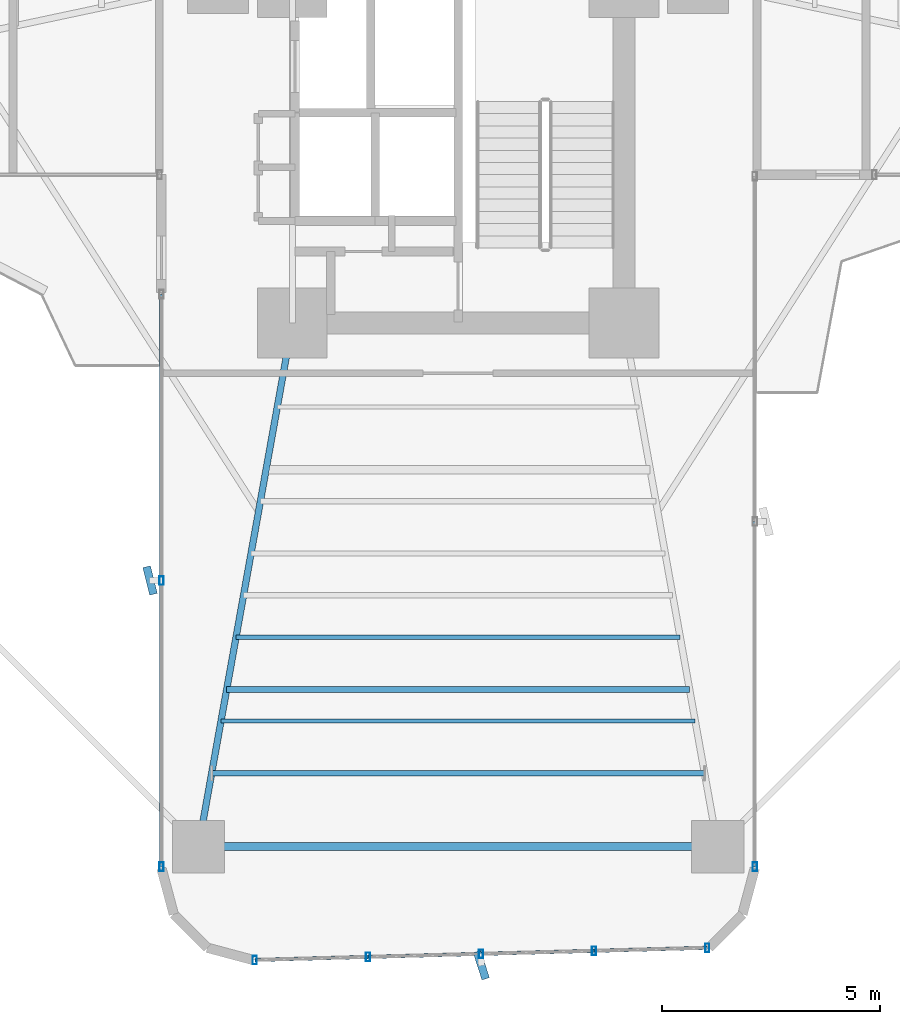
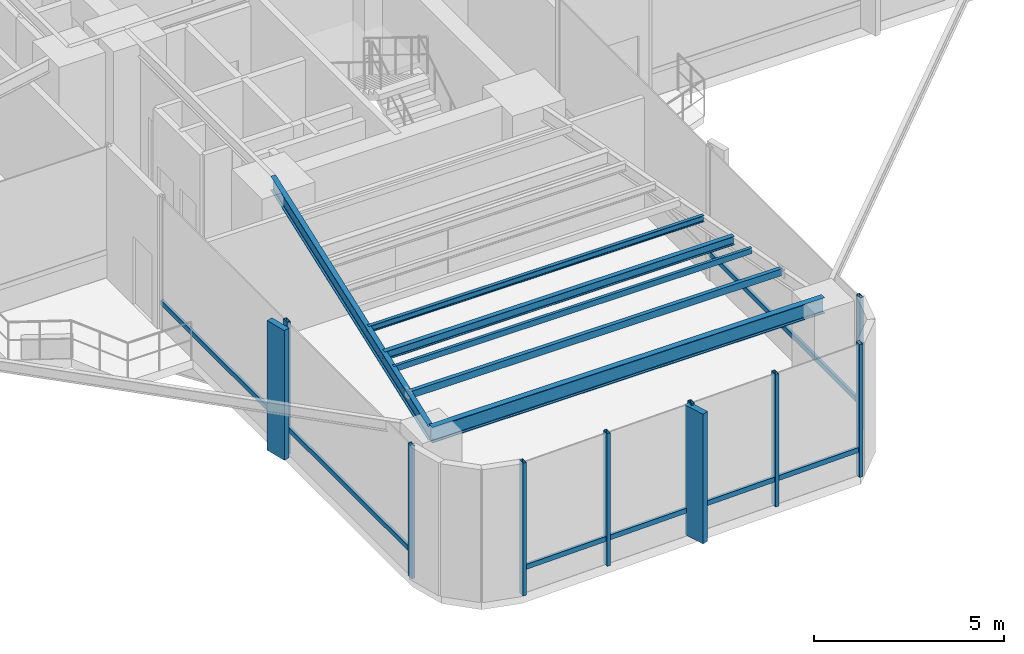
# One storey, part 2 of 20: 17 members, 6 beams, 3 elements without a shape of their own.
"""IFC4 building model written with IfcOpenShell, lengths in metres."""

from ifc_helpers import new_model, si_unit, direction, frame, origin, origin_2d, place, context, subcontext, project, spatial, rectangle, hollow_rectangle, i_section, extrude, source, transform, mapped, material, material_profile, profile_set, type_object, element, aggregate, save


model = new_model("IFC4")

# Units and contexts
model_context = context("Model", 3, precision=1e-05, world=origin(), true_north=direction((0.0, 1.0)))
body_context = subcontext(model_context, "Body", "Model", "MODEL_VIEW")
ifc_project = project(units=[si_unit("LENGTHUNIT", "METRE"), si_unit("AREAUNIT", "SQUARE_METRE"), si_unit("VOLUMEUNIT", "CUBIC_METRE"), si_unit("PLANEANGLEUNIT", "RADIAN"), si_unit("MASSUNIT", "GRAM", prefix="KILO")], contexts=[model_context])

# Site, building, storey
site_placement = place(None, origin())
site = spatial("IfcSite", under=ifc_project, at=site_placement, CompositionType="ELEMENT")
building_placement = place(site_placement, origin())
building = spatial("IfcBuilding", under=site, at=building_placement, Name="Sahyath Konkavel Grand Hotel", CompositionType="ELEMENT")
storey_placement = place(building_placement, frame((0.0, 0.0, 46.550048828125)))
storey = spatial("IfcBuildingStorey", under=building, at=storey_placement, Name="L12", CompositionType="ELEMENT", Elevation=46.550048828125)

# Beams
ifc_material_1 = material(Name="Steel E350", Category="steel")
ifc_material_profile_1 = material_profile(ifc_material_1, i_section(OverallWidth=0.179931640625, OverallDepth=0.5, WebThickness=0.01025390625, FlangeThickness=0.01708984375, FilletRadius=0.01708984375, at=origin_2d()), Name="ISMB 500")
ifc_profile_set_1 = profile_set([ifc_material_profile_1], Name="Steel E350")
beam_type_1 = type_object("IfcBeamType", Name="BM-ISMB500", PredefinedType="BEAM", material=ifc_profile_set_1)
shared_shape_1 = source(origin(), body_context, "Body", "SweptSolid", [
    extrude(i_section(OverallWidth=0.179931640625, OverallDepth=0.5, WebThickness=0.01025390625, FlangeThickness=0.01708984375, FilletRadius=0.01708984375, at=origin_2d()), origin(), (0.0, 0.0, 1.0), 11.89990234375),
])
beam_1_placement = place(storey_placement, frame((-5.949951171875, -22.199951171875, 4.010009765625), z_axis=(1.0, 0.0, 0.0), x_axis=(0.0, 1.0, 0.0)))
element("IfcBeam", 1, at=beam_1_placement, inside=storey, type_object=beam_type_1, Name="L12 Wing Tip Edge Beam S", PredefinedType="BEAM", context=body_context, shape_type="MappedRepresentation", body=[
    mapped(shared_shape_1, transform((0.0, 0.0, 0.0), scale=1.0)),
])
ifc_material_profile_2 = material_profile(ifc_material_1, i_section(OverallWidth=0.14990234375, OverallDepth=0.449951171875, WebThickness=0.009521484375, FlangeThickness=0.017333984375, FilletRadius=0.014892578125, at=origin_2d()), Name="ISMB 450")
ifc_profile_set_2 = profile_set([ifc_material_profile_2], Name="Steel E350")
beam_type_2 = type_object("IfcBeamType", Name="BM-ISMB450", PredefinedType="BEAM", material=ifc_profile_set_2)
shared_shape_2 = source(origin(), body_context, "Body", "SweptSolid", [
    extrude(i_section(OverallWidth=0.14990234375, OverallDepth=0.449951171875, WebThickness=0.009521484375, FlangeThickness=0.017333984375, FilletRadius=0.014892578125, at=origin_2d()), origin(), (0.0, 0.0, 1.0), 12.191162109375),
])
beam_2_placement = place(storey_placement, frame((-3.800048828125, -10.199951171875, 4.034912109375), z_axis=(-0.176350650305, -0.984327409014, 0.0), x_axis=(0.984327409014, -0.176350650305, 0.0)))
element("IfcBeam", 2, at=beam_2_placement, inside=storey, type_object=beam_type_2, Name="L12 Cruciform Radial Girder SA", PredefinedType="BEAM", context=body_context, shape_type="MappedRepresentation", body=[
    mapped(shared_shape_2, transform((0.0, 0.0, 0.0), scale=1.0)),
])
ifc_material_profile_3 = material_profile(ifc_material_1, hollow_rectangle(XDim=0.090087890625, YDim=0.179931640625, WallThickness=0.008056640625, at=origin_2d()), Name="RHS 180x90x8")
ifc_profile_set_3 = profile_set([ifc_material_profile_3], Name="Steel E350")
beam_type_3 = type_object("IfcBeamType", Name="BM-RHS180", PredefinedType="BEAM", material=ifc_profile_set_3)
shared_shape_3 = source(origin(), body_context, "Body", "SweptSolid", [
    extrude(hollow_rectangle(XDim=0.090087890625, YDim=0.179931640625, WallThickness=0.008056640625, at=origin_2d()), origin(), (0.0, 0.0, 1.0), 10.8681640625),
])
beam_3_placement = place(storey_placement, frame((-5.43408203125, -19.320068359375, 4.169921875), z_axis=(1.0, 0.0, 0.0), x_axis=(0.0, 1.0, 0.0)))
element("IfcBeam", 3, at=beam_3_placement, inside=storey, type_object=beam_type_3, Name="L12 Secondary Floor Beam S-3", PredefinedType="BEAM", context=body_context, shape_type="MappedRepresentation", body=[
    mapped(shared_shape_3, transform((0.0, 0.0, 0.0), scale=1.0)),
])
ifc_material_profile_4 = material_profile(ifc_material_1, i_section(OverallWidth=0.10009765625, OverallDepth=0.199951171875, WebThickness=0.005615234375, FlangeThickness=0.0107421875, FilletRadius=0.010986328125, at=origin_2d()), Name="ISMB 200")
ifc_profile_set_4 = profile_set([ifc_material_profile_4], Name="Steel E350")
beam_type_4 = type_object("IfcBeamType", Name="BM-ISMB200", PredefinedType="BEAM", material=ifc_profile_set_4)
shared_shape_4 = source(origin(), body_context, "Body", "SweptSolid", [
    extrude(i_section(OverallWidth=0.10009765625, OverallDepth=0.199951171875, WebThickness=0.005615234375, FlangeThickness=0.0107421875, FilletRadius=0.010986328125, at=origin_2d()), origin(), (0.0, 0.0, 1.0), 10.18017578125),
])
beam_4_placement = place(storey_placement, frame((-5.090087890625, -17.39990234375, 4.159912109375), z_axis=(1.0, 0.0, 0.0), x_axis=(0.0, 1.0, 0.0)))
element("IfcBeam", 4, at=beam_4_placement, inside=storey, type_object=beam_type_4, Name="L12 Composite Deck Sub-Beam S-4", PredefinedType="BEAM", context=body_context, shape_type="MappedRepresentation", body=[
    mapped(shared_shape_4, transform((0.0, 0.0, 0.0), scale=1.0)),
])
ifc_material_profile_5 = material_profile(ifc_material_1, i_section(OverallWidth=0.139892578125, OverallDepth=0.27490234375, WebThickness=0.00634765625, FlangeThickness=0.0087890625, FilletRadius=0.012939453125, at=origin_2d()), Name="ISLB 275")
ifc_profile_set_5 = profile_set([ifc_material_profile_5], Name="Steel E350")
beam_type_5 = type_object("IfcBeamType", Name="BM-ISLB275", PredefinedType="BEAM", material=ifc_profile_set_5)
shared_shape_5 = source(origin(), body_context, "Body", "SweptSolid", [
    extrude(i_section(OverallWidth=0.139892578125, OverallDepth=0.27490234375, WebThickness=0.00634765625, FlangeThickness=0.0087890625, FilletRadius=0.012939453125, at=origin_2d()), origin(), (0.0, 0.0, 1.0), 10.60986328125),
])
beam_5_placement = place(storey_placement, frame((-5.304931640625, -18.60009765625, 4.12255859375), z_axis=(1.0, 0.0, 0.0), x_axis=(0.0, 1.0, 0.0)))
element("IfcBeam", 5, at=beam_5_placement, inside=storey, type_object=beam_type_5, Name="L12 Composite Deck Sub-Beam S-5", PredefinedType="BEAM", context=body_context, shape_type="MappedRepresentation", body=[
    mapped(shared_shape_5, transform((0.0, 0.0, 0.0), scale=1.0)),
])
ifc_material_profile_6 = material_profile(ifc_material_1, hollow_rectangle(XDim=0.1201171875, YDim=0.219970703125, WallThickness=0.010009765625, at=origin_2d()), Name="RHS 220x120x10")
ifc_profile_set_6 = profile_set([ifc_material_profile_6], Name="Steel E350")
beam_type_6 = type_object("IfcBeamType", Name="BM-RHS220", PredefinedType="BEAM", material=ifc_profile_set_6)
shared_shape_6 = source(origin(), body_context, "Body", "SweptSolid", [
    extrude(hollow_rectangle(XDim=0.1201171875, YDim=0.219970703125, WallThickness=0.010009765625, at=origin_2d()), origin(), (0.0, 0.0, 1.0), 11.2978515625),
])
beam_6_placement = place(storey_placement, frame((-5.64892578125, -20.52001953125, 4.14990234375), z_axis=(1.0, 0.0, 0.0), x_axis=(0.0, 1.0, 0.0)))
element("IfcBeam", 6, at=beam_6_placement, inside=storey, type_object=beam_type_6, Name="L12 Composite Deck Sub-Beam S-6", PredefinedType="BEAM", context=body_context, shape_type="MappedRepresentation", body=[
    mapped(shared_shape_6, transform((0.0, 0.0, 0.0), scale=1.0)),
])

# Curtain wall, members
ifc_material_2 = material(Name="Anodised Bronze Aluminium & Low-E Glazing", Category="aluminium")
curtain_wall_type = type_object("IfcCurtainWallType", Name="CW-SKYLOBBY", PredefinedType="NOTDEFINED", material=ifc_material_2)
curtain_wall_1_placement = place(storey_placement, origin())
curtain_wall_1 = element("IfcCurtainWall", 7, at=curtain_wall_1_placement, inside=storey, type_object=curtain_wall_type, Name="L12 Unitised Curtain Wall F24", PredefinedType="NOTDEFINED")
ifc_material_3 = material(Name="Anodised Bronze Aluminium", Category="aluminium")
ifc_material_profile_7 = material_profile(ifc_material_3, hollow_rectangle(XDim=0.10009765625, YDim=0.199951171875, WallThickness=0.008056640625, at=origin_2d()), Name="RHS 200x100x8")
ifc_profile_set_7 = profile_set([ifc_material_profile_7], Name="Anodised Bronze Aluminium")
member_type_1 = type_object("IfcMemberType", Name="CW-MUL-200", PredefinedType="MULLION", material=ifc_profile_set_7)
shared_shape_7 = source(origin(), body_context, "Body", "SweptSolid", [
    extrude(hollow_rectangle(XDim=0.10009765625, YDim=0.199951171875, WallThickness=0.008056640625, at=origin_2d()), origin(), (0.0, 0.0, 1.0), 4.260009765625),
])
member_1_placement = place(storey_placement, frame((-6.800048828125, -16.10009765625, 0.0), z_axis=(0.0, 0.0, 1.0), x_axis=(1.0, 0.0, 0.0)))
member_1 = element("IfcMember", 8, at=member_1_placement, type_object=member_type_1, Name="L12 Curtain Wall Mullion F24-1", PredefinedType="MULLION", context=body_context, shape_type="MappedRepresentation", body=[
    mapped(shared_shape_7, transform((0.0, 0.0, 0.0), scale=1.0)),
])
member_2_placement = place(storey_placement, frame((-6.800048828125, -22.659912109375, 0.0), z_axis=(0.0, 0.0, 1.0), x_axis=(1.0, 0.0, 0.0)))
member_2 = element("IfcMember", 9, at=member_2_placement, type_object=member_type_1, Name="L12 Curtain Wall Mullion F24-2", PredefinedType="MULLION", context=body_context, shape_type="MappedRepresentation", body=[
    mapped(shared_shape_7, transform((0.0, 0.0, 0.0), scale=1.0)),
])

curtain_wall_2_placement = place(storey_placement, origin())
curtain_wall_2 = element("IfcCurtainWall", 10, at=curtain_wall_2_placement, inside=storey, type_object=curtain_wall_type, Name="L12 Unitised Curtain Wall F28", PredefinedType="NOTDEFINED")
member_3_placement = place(storey_placement, frame((-4.659912109375, -24.798828125, 0.0), z_axis=(0.0, 0.0, 1.0), x_axis=(1.0, 0.0, 0.0)))
member_3 = element("IfcMember", 11, at=member_3_placement, type_object=member_type_1, Name="L12 Curtain Wall Mullion F28-0", PredefinedType="MULLION", context=body_context, shape_type="MappedRepresentation", body=[
    mapped(shared_shape_7, transform((0.0, 0.0, 0.0), scale=1.0)),
])
member_4_placement = place(storey_placement, frame((-2.0673828125, -24.72900390625, 0.0), z_axis=(0.0, 0.0, 1.0), x_axis=(1.0, 0.0, 0.0)))
member_4 = element("IfcMember", 12, at=member_4_placement, type_object=member_type_1, Name="L12 Curtain Wall Mullion F28-1", PredefinedType="MULLION", context=body_context, shape_type="MappedRepresentation", body=[
    mapped(shared_shape_7, transform((0.0, 0.0, 0.0), scale=1.0)),
])
member_5_placement = place(storey_placement, frame((0.52490234375, -24.6591796875, 0.0), z_axis=(0.0, 0.0, 1.0), x_axis=(1.0, 0.0, 0.0)))
member_5 = element("IfcMember", 13, at=member_5_placement, type_object=member_type_1, Name="L12 Curtain Wall Mullion F28-2", PredefinedType="MULLION", context=body_context, shape_type="MappedRepresentation", body=[
    mapped(shared_shape_7, transform((0.0, 0.0, 0.0), scale=1.0)),
])
member_6_placement = place(storey_placement, frame((3.117431640625, -24.589599609375, 0.0), z_axis=(0.0, 0.0, 1.0), x_axis=(1.0, 0.0, 0.0)))
member_6 = element("IfcMember", 14, at=member_6_placement, type_object=member_type_1, Name="L12 Curtain Wall Mullion F28-3", PredefinedType="MULLION", context=body_context, shape_type="MappedRepresentation", body=[
    mapped(shared_shape_7, transform((0.0, 0.0, 0.0), scale=1.0)),
])
member_7_placement = place(storey_placement, frame((5.7099609375, -24.519775390625, 0.0), z_axis=(0.0, 0.0, 1.0), x_axis=(1.0, 0.0, 0.0)))
member_7 = element("IfcMember", 15, at=member_7_placement, type_object=member_type_1, Name="L12 Curtain Wall Mullion F28-4", PredefinedType="MULLION", context=body_context, shape_type="MappedRepresentation", body=[
    mapped(shared_shape_7, transform((0.0, 0.0, 0.0), scale=1.0)),
])

curtain_wall_3_placement = place(storey_placement, origin())
curtain_wall_3 = element("IfcCurtainWall", 16, at=curtain_wall_3_placement, inside=storey, type_object=curtain_wall_type, Name="L12 Unitised Curtain Wall F31", PredefinedType="NOTDEFINED")
member_8_placement = place(storey_placement, frame((6.800048828125, -22.659912109375, 0.0), z_axis=(0.0, 0.0, 1.0), x_axis=(1.0, 0.0, 0.0)))
member_8 = element("IfcMember", 17, at=member_8_placement, type_object=member_type_1, Name="L12 Curtain Wall Mullion F31-0", PredefinedType="MULLION", context=body_context, shape_type="MappedRepresentation", body=[
    mapped(shared_shape_7, transform((0.0, 0.0, 0.0), scale=1.0)),
])
ifc_material_profile_8 = material_profile(ifc_material_3, hollow_rectangle(XDim=0.080078125, YDim=0.159912109375, WallThickness=0.006103515625, at=origin_2d()), Name="RHS 160x80x6")
ifc_profile_set_8 = profile_set([ifc_material_profile_8], Name="Anodised Bronze Aluminium")
member_type_2 = type_object("IfcMemberType", Name="CW-TRN-160", PredefinedType="USERDEFINED", material=ifc_profile_set_8)
shared_shape_8 = source(origin(), body_context, "Body", "SweptSolid", [
    extrude(hollow_rectangle(XDim=0.080078125, YDim=0.159912109375, WallThickness=0.006103515625, at=origin_2d()), origin(), (0.0, 0.0, 1.0), 7.909912109375),
])
member_9_placement = place(storey_placement, frame((6.800048828125, -22.659912109375, 0.849853515625), z_axis=(0.0, 1.0, 0.0), x_axis=(-1.0, 0.0, 0.0)))
member_9 = element("IfcMember", 18, at=member_9_placement, type_object=member_type_2, Name="L12 Curtain Wall Transom F31-0-spandrel", ObjectType="TRANSOM", PredefinedType="USERDEFINED", context=body_context, shape_type="MappedRepresentation", body=[
    mapped(shared_shape_8, transform((0.0, 0.0, 0.0), scale=1.0)),
])
aggregate(curtain_wall_3, [member_8, member_9])

# Member
shared_shape_9 = source(origin(), body_context, "Body", "SweptSolid", [
    extrude(hollow_rectangle(XDim=0.080078125, YDim=0.159912109375, WallThickness=0.006103515625, at=origin_2d()), origin(), (0.0, 0.0, 1.0), 2.593505859375),
])
member_10_placement = place(storey_placement, frame((-4.659912109375, -24.798828125, 0.849853515625), z_axis=(0.999637507825, 0.026923093252, 0.0), x_axis=(-0.026923093252, 0.999637507825, 0.0)))
member_10 = element("IfcMember", 19, at=member_10_placement, type_object=member_type_2, Name="L12 Curtain Wall Transom F28-0-spandrel", ObjectType="TRANSOM", PredefinedType="USERDEFINED", context=body_context, shape_type="MappedRepresentation", body=[
    mapped(shared_shape_9, transform((0.0, 0.0, 0.0), scale=1.0)),
])

member_11_placement = place(storey_placement, frame((0.52490234375, -24.6591796875, 0.849853515625), z_axis=(0.999640036937, 0.02682902444, 0.0), x_axis=(-0.02682902444, 0.999640036937, 0.0)))
member_11 = element("IfcMember", 20, at=member_11_placement, type_object=member_type_2, Name="L12 Curtain Wall Transom F28-2-spandrel", ObjectType="TRANSOM", PredefinedType="USERDEFINED", context=body_context, shape_type="MappedRepresentation", body=[
    mapped(shared_shape_9, transform((0.0, 0.0, 0.0), scale=1.0)),
])

member_12_placement = place(storey_placement, frame((3.117431640625, -24.589599609375, 0.849853515625), z_axis=(0.999637507825, 0.026923093252, 0.0), x_axis=(-0.026923093252, 0.999637507825, 0.0)))
member_12 = element("IfcMember", 21, at=member_12_placement, type_object=member_type_2, Name="L12 Curtain Wall Transom F28-3-spandrel", ObjectType="TRANSOM", PredefinedType="USERDEFINED", context=body_context, shape_type="MappedRepresentation", body=[
    mapped(shared_shape_9, transform((0.0, 0.0, 0.0), scale=1.0)),
])

shared_shape_10 = source(origin(), body_context, "Body", "SweptSolid", [
    extrude(hollow_rectangle(XDim=0.080078125, YDim=0.159912109375, WallThickness=0.006103515625, at=origin_2d()), origin(), (0.0, 0.0, 1.0), 2.59326171875),
])
member_13_placement = place(storey_placement, frame((-2.0673828125, -24.72900390625, 0.849853515625), z_axis=(0.99963743958, 0.026925627022, 0.0), x_axis=(-0.026925627022, 0.99963743958, 0.0)))
member_13 = element("IfcMember", 22, at=member_13_placement, type_object=member_type_2, Name="L12 Curtain Wall Transom F28-1-spandrel", ObjectType="TRANSOM", PredefinedType="USERDEFINED", context=body_context, shape_type="MappedRepresentation", body=[
    mapped(shared_shape_10, transform((0.0, 0.0, 0.0), scale=1.0)),
])

shared_shape_11 = source(origin(), body_context, "Body", "SweptSolid", [
    extrude(hollow_rectangle(XDim=0.080078125, YDim=0.159912109375, WallThickness=0.006103515625, at=origin_2d()), origin(), (0.0, 0.0, 1.0), 6.56005859375),
])
member_14_placement = place(storey_placement, frame((-6.800048828125, -9.5400390625, 0.849853515625), z_axis=(0.0, -1.0, 0.0), x_axis=(1.0, 0.0, 0.0)))
member_14 = element("IfcMember", 23, at=member_14_placement, type_object=member_type_2, Name="L12 Curtain Wall Transom F24-0-spandrel", ObjectType="TRANSOM", PredefinedType="USERDEFINED", context=body_context, shape_type="MappedRepresentation", body=[
    mapped(shared_shape_11, transform((0.0, 0.0, 0.0), scale=1.0)),
])

shared_shape_12 = source(origin(), body_context, "Body", "SweptSolid", [
    extrude(hollow_rectangle(XDim=0.080078125, YDim=0.159912109375, WallThickness=0.006103515625, at=origin_2d()), origin(), (0.0, 0.0, 1.0), 6.559814453125),
])
member_15_placement = place(storey_placement, frame((-6.800048828125, -16.10009765625, 0.849853515625), z_axis=(0.0, -1.0, 0.0), x_axis=(1.0, 0.0, 0.0)))
member_15 = element("IfcMember", 24, at=member_15_placement, type_object=member_type_2, Name="L12 Curtain Wall Transom F24-1-spandrel", ObjectType="TRANSOM", PredefinedType="USERDEFINED", context=body_context, shape_type="MappedRepresentation", body=[
    mapped(shared_shape_12, transform((0.0, 0.0, 0.0), scale=1.0)),
])

ifc_material_4 = material(Name="Warm Buff Sandstone Cladding on Concrete C50/60", Category="masonry")
ifc_material_profile_9 = material_profile(ifc_material_4, rectangle(XDim=0.179931640625, YDim=0.64990234375, at=origin_2d()), Name="FIN 180x650")
ifc_profile_set_9 = profile_set([ifc_material_profile_9], Name="Warm Buff Sandstone Cladding on Concrete C50/60")
member_type_3 = type_object("IfcMemberType", Name="FIN-SANDSTONE-650", PredefinedType="MULLION", material=ifc_profile_set_9)
shared_shape_13 = source(origin(), body_context, "Body", "SweptSolid", [
    extrude(rectangle(XDim=0.179931640625, YDim=0.64990234375, at=origin_2d()), origin(), (0.0, 0.0, 1.0), 4.159912109375),
])
member_16_placement = place(storey_placement, frame((-7.06005859375, -16.10009765625, 0.050048828125), z_axis=(0.0, 0.0, 1.0), x_axis=(0.970084240161, 0.242768546132, 0.0)))
member_16 = element("IfcMember", 25, at=member_16_placement, type_object=member_type_3, Name="L12 Sandstone Vertical Solar Fin FIN F24-1", PredefinedType="MULLION", context=body_context, shape_type="MappedRepresentation", body=[
    mapped(shared_shape_13, transform((0.0, 0.0, 0.0), scale=1.0)),
])

aggregate(curtain_wall_1, [member_1, member_16, member_2, member_14, member_15])

member_17_placement = place(storey_placement, frame((0.531982421875, -24.919189453125, 0.050048828125), z_axis=(0.0, 0.0, 1.0), x_axis=(0.951648033235, 0.307190528564, 0.0)))
member_17 = element("IfcMember", 26, at=member_17_placement, type_object=member_type_3, Name="L12 Sandstone Vertical Solar Fin FIN F28-2", PredefinedType="MULLION", context=body_context, shape_type="MappedRepresentation", body=[
    mapped(shared_shape_13, transform((0.0, 0.0, 0.0), scale=1.0)),
])

aggregate(curtain_wall_2, [member_3, member_4, member_5, member_17, member_6, member_7, member_10, member_13, member_11, member_12])

save(model, "model.ifc")
